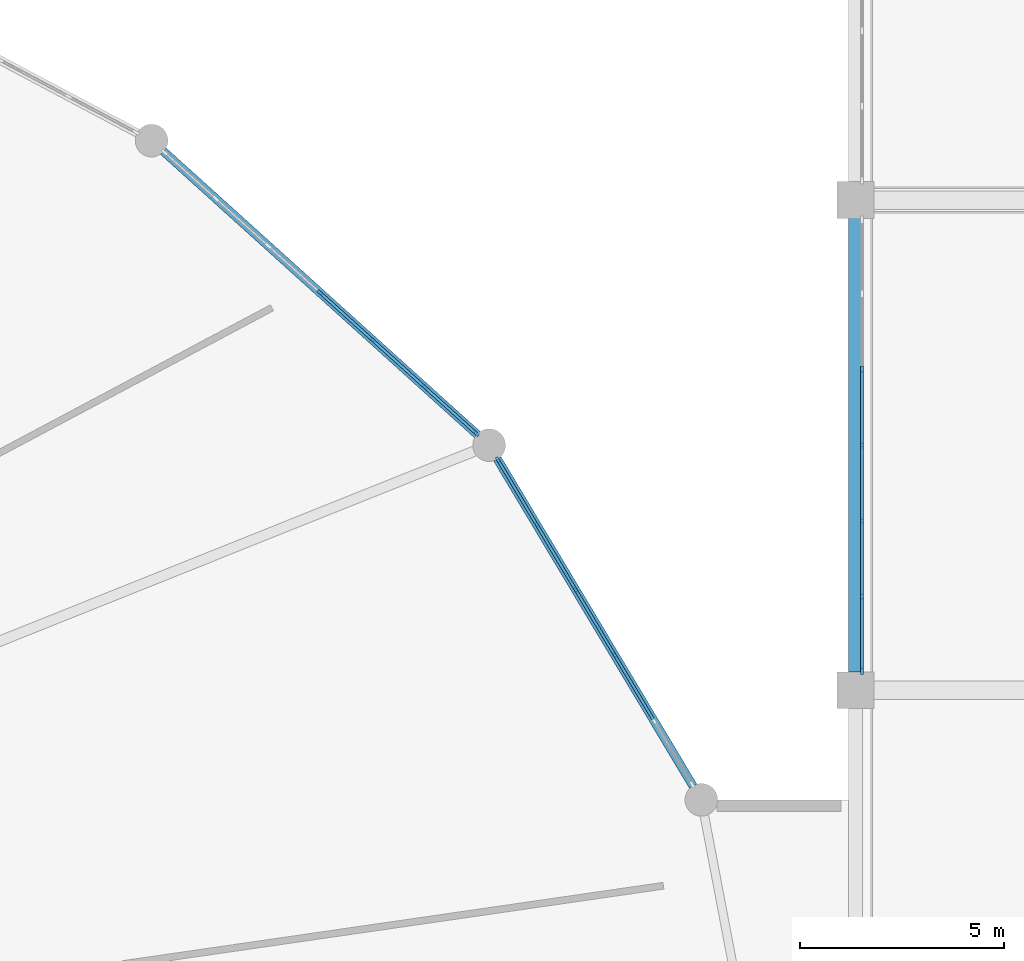
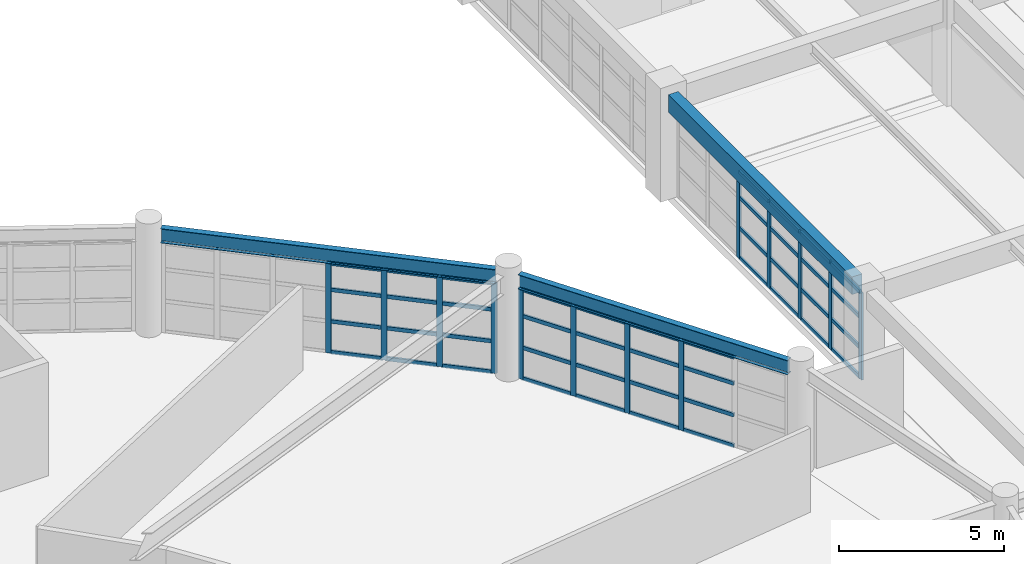
# One storey, part 47 of 100: 57 members, 3 beams, 3 elements without a shape of their own.
"""IFC4 building model written with IfcOpenShell, lengths in metres."""

from ifc_helpers import new_model, si_unit, direction, frame, origin, origin_2d, place, context, subcontext, project, spatial, rectangle, i_section, extrude, material, layer, layer_set, material_profile, profile_set, type_object, element, aggregate, save


model = new_model("IFC4")

# Units and contexts
model_context = context("Model", 3, precision=1e-05, world=origin(), true_north=direction((0.0, 1.0)))
body_context = subcontext(model_context, "Body", "Model", "MODEL_VIEW")
ifc_project = project(units=[si_unit("LENGTHUNIT", "METRE"), si_unit("AREAUNIT", "SQUARE_METRE"), si_unit("VOLUMEUNIT", "CUBIC_METRE"), si_unit("PLANEANGLEUNIT", "RADIAN"), si_unit("MASSUNIT", "GRAM", prefix="KILO")], contexts=[model_context])

# Site, building, storey
site_placement = place(None, origin())
site = spatial("IfcSite", under=ifc_project, at=site_placement, CompositionType="ELEMENT")
building_placement = place(site_placement, origin())
building = spatial("IfcBuilding", under=site, at=building_placement, Name="Kivolera Central Railway Station", CompositionType="ELEMENT")
storey_placement = place(building_placement, frame((0.0, 0.0, 5.39990234375)))
storey = spatial("IfcBuildingStorey", under=building, at=storey_placement, Name="L01", CompositionType="ELEMENT", Elevation=5.39990234375)

# Beams
ifc_material_1 = material(Name="Steel S355", Category="steel")
ifc_material_profile_1 = material_profile(ifc_material_1, i_section(OverallWidth=0.209228515625, OverallDepth=0.533203125, WebThickness=0.010009765625, FlangeThickness=0.015625, FilletRadius=0.0126953125, at=origin_2d()), Name="UB 533x210x92")
ifc_profile_set_1 = profile_set([ifc_material_profile_1], Name="Steel S355")
beam_type_1 = type_object("IfcBeamType", Name="BM-SHD-UB533", PredefinedType="BEAM", material=ifc_profile_set_1)
beam_1_placement = place(storey_placement, frame((114.028076171875, 99.652099609375, 3.611083984375), z_axis=(-0.513503459376, 0.858087523047, 0.0), x_axis=(-0.858087523047, -0.513503459376, 0.0)))
element("IfcBeam", 1, at=beam_1_placement, inside=storey, type_object=beam_type_1, Name="L01 Oval Perimeter Ring Beam 02", PredefinedType="BEAM", context=body_context, shape_type="SweptSolid", body=[
    extrude(i_section(OverallWidth=0.209228515625, OverallDepth=0.533203125, WebThickness=0.010009765625, FlangeThickness=0.015625, FilletRadius=0.0126953125, at=origin_2d()), origin(), (0.0, 0.0, 1.0), 9.338134765625),
])
beam_2_placement = place(storey_placement, frame((108.742919921875, 108.260986328125, 3.611083984375), z_axis=(-0.742356199881, 0.670005427215, 0.0), x_axis=(-0.670005427215, -0.742356199881, 0.0)))
element("IfcBeam", 2, at=beam_2_placement, inside=storey, type_object=beam_type_1, Name="L01 Oval Perimeter Ring Beam 03", PredefinedType="BEAM", context=body_context, shape_type="SweptSolid", body=[
    extrude(i_section(OverallWidth=0.209228515625, OverallDepth=0.533203125, WebThickness=0.010009765625, FlangeThickness=0.015625, FilletRadius=0.0126953125, at=origin_2d()), origin(), (0.0, 0.0, 1.0), 10.349365234375),
])
ifc_material_2 = material(Name="Concrete C40/50", Category="concrete")
ifc_material_profile_2 = material_profile(ifc_material_2, rectangle(XDim=0.35009765625, YDim=0.64990234375, at=origin_2d()), Name="RC 350x650")
ifc_profile_set_2 = profile_set([ifc_material_profile_2], Name="Concrete C40/50")
beam_type_2 = type_object("IfcBeamType", Name="BM-SPN-RC650", PredefinedType="SPANDREL", material=ifc_profile_set_2)
beam_3_placement = place(storey_placement, frame((118.0, 102.44189453125, 3.55517578125), z_axis=(0.0, 1.0, 0.0), x_axis=(-1.0, 0.0, 0.0)))
element("IfcBeam", 3, at=beam_3_placement, inside=storey, type_object=beam_type_2, Name="L01 Wing Y-Beam 12:J-K", PredefinedType="SPANDREL", context=body_context, shape_type="SweptSolid", body=[
    extrude(rectangle(XDim=0.35009765625, YDim=0.64990234375, at=origin_2d()), origin(), (0.0, 0.0, 1.0), 11.1162109375),
])

# Curtain wall, members
ifc_material_3 = material(Name="Anodised aluminium", Category="aluminium")
ifc_layer_1 = layer(ifc_material_3, 0.179931640625, Name="Anodised aluminium")
ifc_layer_set_1 = layer_set([ifc_layer_1], Name="Anodised aluminium")
curtain_wall_type_1 = type_object("IfcCurtainWallType", Name="CW-SYS-02", PredefinedType="NOTDEFINED", material=ifc_layer_set_1)
curtain_wall_1_placement = place(storey_placement, origin())
curtain_wall_1 = element("IfcCurtainWall", 4, at=curtain_wall_1_placement, inside=storey, type_object=curtain_wall_type_1, Name="L01 Curtain Wall CW-L01-OVL-01", PredefinedType="NOTDEFINED")
ifc_material_profile_3 = material_profile(ifc_material_3, rectangle(XDim=0.070068359375, YDim=0.179931640625, at=origin_2d()), Name="ALU MULL 70x180")
ifc_profile_set_3 = profile_set([ifc_material_profile_3], Name="Anodised aluminium")
member_type_1 = type_object("IfcMemberType", Name="CWM-MUL-1", PredefinedType="MULLION", material=ifc_profile_set_3)
member_1_placement = place(storey_placement, frame((109.255859375, 107.626953125, -0.0048828125), z_axis=(0.0, 0.0, 1.0), x_axis=(0.858117186396, 0.513453887327, 0.0)))
member_1 = element("IfcMember", 5, at=member_1_placement, type_object=member_type_1, Name="CW-02 mullion 1", PredefinedType="MULLION", context=body_context, shape_type="SweptSolid", body=[
    extrude(rectangle(XDim=0.070068359375, YDim=0.179931640625, at=origin_2d()), origin(), (0.0, 0.0, 1.0), 3.344970703125),
])
member_2_placement = place(storey_placement, frame((110.195068359375, 106.0576171875, -0.0048828125), z_axis=(0.0, 0.0, 1.0), x_axis=(0.858117186396, 0.513453887327, 0.0)))
member_2 = element("IfcMember", 6, at=member_2_placement, type_object=member_type_1, Name="CW-02 mullion 2", PredefinedType="MULLION", context=body_context, shape_type="SweptSolid", body=[
    extrude(rectangle(XDim=0.070068359375, YDim=0.179931640625, at=origin_2d()), origin(), (0.0, 0.0, 1.0), 3.344970703125),
])
member_3_placement = place(storey_placement, frame((111.152099609375, 104.458251953125, -0.0048828125), z_axis=(0.0, 0.0, 1.0), x_axis=(0.858117186396, 0.513453887327, 0.0)))
member_3 = element("IfcMember", 7, at=member_3_placement, type_object=member_type_1, Name="CW-02 mullion 3", PredefinedType="MULLION", context=body_context, shape_type="SweptSolid", body=[
    extrude(rectangle(XDim=0.070068359375, YDim=0.179931640625, at=origin_2d()), origin(), (0.0, 0.0, 1.0), 3.344970703125),
])
member_4_placement = place(storey_placement, frame((112.10888671875, 102.85888671875, -0.0048828125), z_axis=(0.0, 0.0, 1.0), x_axis=(0.858117186396, 0.513453887327, 0.0)))
member_4 = element("IfcMember", 8, at=member_4_placement, type_object=member_type_1, Name="CW-02 mullion 4", PredefinedType="MULLION", context=body_context, shape_type="SweptSolid", body=[
    extrude(rectangle(XDim=0.070068359375, YDim=0.179931640625, at=origin_2d()), origin(), (0.0, 0.0, 1.0), 3.344970703125),
])

ifc_layer_2 = layer(ifc_material_3, 0.179931640625, Name="Anodised aluminium")
ifc_layer_set_2 = layer_set([ifc_layer_2], Name="Anodised aluminium")
curtain_wall_type_2 = type_object("IfcCurtainWallType", Name="CW-SYS-05", PredefinedType="NOTDEFINED", material=ifc_layer_set_2)
curtain_wall_2_placement = place(storey_placement, origin())
curtain_wall_2 = element("IfcCurtainWall", 9, at=curtain_wall_2_placement, inside=storey, type_object=curtain_wall_type_2, Name="L01 Curtain Wall CW-L01-OVL-02", PredefinedType="NOTDEFINED")
member_5_placement = place(storey_placement, frame((104.901611328125, 111.72802734375, -0.0048828125), z_axis=(0.0, 0.0, 1.0), x_axis=(0.66992157428, 0.742431871833, 0.0)))
member_5 = element("IfcMember", 10, at=member_5_placement, type_object=member_type_1, Name="CW-05 mullion 4", PredefinedType="MULLION", context=body_context, shape_type="SweptSolid", body=[
    extrude(rectangle(XDim=0.070068359375, YDim=0.179931640625, at=origin_2d()), origin(), (0.0, 0.0, 1.0), 3.344970703125),
])
member_6_placement = place(storey_placement, frame((106.1796875, 110.57470703125, -0.0048828125), z_axis=(0.0, 0.0, 1.0), x_axis=(0.66992157428, 0.742431871833, 0.0)))
member_6 = element("IfcMember", 11, at=member_6_placement, type_object=member_type_1, Name="CW-05 mullion 5", PredefinedType="MULLION", context=body_context, shape_type="SweptSolid", body=[
    extrude(rectangle(XDim=0.070068359375, YDim=0.179931640625, at=origin_2d()), origin(), (0.0, 0.0, 1.0), 3.344970703125),
])
member_7_placement = place(storey_placement, frame((107.457763671875, 109.42138671875, -0.0048828125), z_axis=(0.0, 0.0, 1.0), x_axis=(0.66992157428, 0.742431871833, 0.0)))
member_7 = element("IfcMember", 12, at=member_7_placement, type_object=member_type_1, Name="CW-05 mullion 6", PredefinedType="MULLION", context=body_context, shape_type="SweptSolid", body=[
    extrude(rectangle(XDim=0.070068359375, YDim=0.179931640625, at=origin_2d()), origin(), (0.0, 0.0, 1.0), 3.344970703125),
])
member_8_placement = place(storey_placement, frame((108.7099609375, 108.29150390625, -0.0048828125), z_axis=(0.0, 0.0, 1.0), x_axis=(0.66992157428, 0.742431871833, 0.0)))
member_8 = element("IfcMember", 13, at=member_8_placement, type_object=member_type_1, Name="CW-05 mullion 7", PredefinedType="MULLION", context=body_context, shape_type="SweptSolid", body=[
    extrude(rectangle(XDim=0.070068359375, YDim=0.179931640625, at=origin_2d()), origin(), (0.0, 0.0, 1.0), 3.344970703125),
])

ifc_layer_3 = layer(ifc_material_3, 0.179931640625, Name="Anodised aluminium")
ifc_layer_set_3 = layer_set([ifc_layer_3], Name="Anodised aluminium")
curtain_wall_type_3 = type_object("IfcCurtainWallType", Name="CW-SYS-26", PredefinedType="NOTDEFINED", material=ifc_layer_set_3)
curtain_wall_3_placement = place(storey_placement, origin())
curtain_wall_3 = element("IfcCurtainWall", 14, at=curtain_wall_3_placement, inside=storey, type_object=curtain_wall_type_3, Name="L01 Curtain Wall CW-L01-WEST-J", PredefinedType="NOTDEFINED")
member_9_placement = place(storey_placement, frame((118.159912109375, 102.47998046875, -0.0048828125), z_axis=(0.0, 0.0, 1.0), x_axis=(-1.0, 0.0, 0.0)))
member_9 = element("IfcMember", 15, at=member_9_placement, type_object=member_type_1, Name="CW-26 mullion 1", PredefinedType="MULLION", context=body_context, shape_type="SweptSolid", body=[
    extrude(rectangle(XDim=0.070068359375, YDim=0.179931640625, at=origin_2d()), origin(), (0.0, 0.0, 1.0), 3.222900390625),
])
member_10_placement = place(storey_placement, frame((118.159912109375, 104.296630859375, -0.0048828125), z_axis=(0.0, 0.0, 1.0), x_axis=(-1.0, 0.0, 0.0)))
member_10 = element("IfcMember", 16, at=member_10_placement, type_object=member_type_1, Name="CW-26 mullion 2", PredefinedType="MULLION", context=body_context, shape_type="SweptSolid", body=[
    extrude(rectangle(XDim=0.070068359375, YDim=0.179931640625, at=origin_2d()), origin(), (0.0, 0.0, 1.0), 3.222900390625),
])
member_11_placement = place(storey_placement, frame((118.159912109375, 106.1484375, -0.0048828125), z_axis=(0.0, 0.0, 1.0), x_axis=(-1.0, 0.0, 0.0)))
member_11 = element("IfcMember", 17, at=member_11_placement, type_object=member_type_1, Name="CW-26 mullion 3", PredefinedType="MULLION", context=body_context, shape_type="SweptSolid", body=[
    extrude(rectangle(XDim=0.070068359375, YDim=0.179931640625, at=origin_2d()), origin(), (0.0, 0.0, 1.0), 3.222900390625),
])
member_12_placement = place(storey_placement, frame((118.159912109375, 108.0, -0.0048828125), z_axis=(0.0, 0.0, 1.0), x_axis=(-1.0, 0.0, 0.0)))
member_12 = element("IfcMember", 18, at=member_12_placement, type_object=member_type_1, Name="CW-26 mullion 4", PredefinedType="MULLION", context=body_context, shape_type="SweptSolid", body=[
    extrude(rectangle(XDim=0.070068359375, YDim=0.179931640625, at=origin_2d()), origin(), (0.0, 0.0, 1.0), 3.222900390625),
])
member_13_placement = place(storey_placement, frame((118.159912109375, 109.8515625, -0.0048828125), z_axis=(0.0, 0.0, 1.0), x_axis=(-1.0, 0.0, 0.0)))
member_13 = element("IfcMember", 19, at=member_13_placement, type_object=member_type_1, Name="CW-26 mullion 5", PredefinedType="MULLION", context=body_context, shape_type="SweptSolid", body=[
    extrude(rectangle(XDim=0.070068359375, YDim=0.179931640625, at=origin_2d()), origin(), (0.0, 0.0, 1.0), 3.222900390625),
])

# Member
ifc_material_profile_4 = material_profile(ifc_material_3, rectangle(XDim=0.070068359375, YDim=0.139892578125, at=origin_2d()), Name="ALU TRAN 70x140")
ifc_profile_set_4 = profile_set([ifc_material_profile_4], Name="Anodised aluminium")
member_type_2 = type_object("IfcMemberType", Name="CWM-TRN-1", PredefinedType="USERDEFINED", material=ifc_profile_set_4)
member_14_placement = place(storey_placement, frame((109.27392578125, 107.596923828125, 0.03515625), z_axis=(0.513454309114, -0.85811693402, 0.0), x_axis=(0.85811693402, 0.513454309114, 0.0)))
member_14 = element("IfcMember", 20, at=member_14_placement, type_object=member_type_2, Name="CW-02 transom 1.1", ObjectType="TRANSOM", PredefinedType="USERDEFINED", context=body_context, shape_type="SweptSolid", body=[
    extrude(rectangle(XDim=0.070068359375, YDim=0.139892578125, at=origin_2d()), origin(), (0.0, 0.0, 1.0), 1.7587890625),
])

member_15_placement = place(storey_placement, frame((109.27392578125, 107.596923828125, 1.169189453125), z_axis=(0.513454309114, -0.85811693402, 0.0), x_axis=(0.85811693402, 0.513454309114, 0.0)))
member_15 = element("IfcMember", 21, at=member_15_placement, type_object=member_type_2, Name="CW-02 transom 1.2", ObjectType="TRANSOM", PredefinedType="USERDEFINED", context=body_context, shape_type="SweptSolid", body=[
    extrude(rectangle(XDim=0.070068359375, YDim=0.139892578125, at=origin_2d()), origin(), (0.0, 0.0, 1.0), 1.7587890625),
])

member_16_placement = place(storey_placement, frame((109.27392578125, 107.596923828125, 2.338134765625), z_axis=(0.513454309114, -0.85811693402, 0.0), x_axis=(0.85811693402, 0.513454309114, 0.0)))
member_16 = element("IfcMember", 22, at=member_16_placement, type_object=member_type_2, Name="CW-02 transom 1.3", ObjectType="TRANSOM", PredefinedType="USERDEFINED", context=body_context, shape_type="SweptSolid", body=[
    extrude(rectangle(XDim=0.070068359375, YDim=0.139892578125, at=origin_2d()), origin(), (0.0, 0.0, 1.0), 1.7587890625),
])

member_17_placement = place(storey_placement, frame((109.27392578125, 107.596923828125, 3.30517578125), z_axis=(0.513454309114, -0.85811693402, 0.0), x_axis=(0.85811693402, 0.513454309114, 0.0)))
member_17 = element("IfcMember", 23, at=member_17_placement, type_object=member_type_2, Name="CW-02 transom 1.4", ObjectType="TRANSOM", PredefinedType="USERDEFINED", context=body_context, shape_type="SweptSolid", body=[
    extrude(rectangle(XDim=0.070068359375, YDim=0.139892578125, at=origin_2d()), origin(), (0.0, 0.0, 1.0), 1.7587890625),
])

member_18_placement = place(storey_placement, frame((110.212890625, 106.027587890625, 0.03515625), z_axis=(0.513494690452, -0.858092770554, 0.0), x_axis=(0.858092770554, 0.513494690452, 0.0)))
member_18 = element("IfcMember", 24, at=member_18_placement, type_object=member_type_2, Name="CW-02 transom 2.1", ObjectType="TRANSOM", PredefinedType="USERDEFINED", context=body_context, shape_type="SweptSolid", body=[
    extrude(rectangle(XDim=0.070068359375, YDim=0.139892578125, at=origin_2d()), origin(), (0.0, 0.0, 1.0), 1.7939453125),
])

member_19_placement = place(storey_placement, frame((110.212890625, 106.027587890625, 1.169189453125), z_axis=(0.513494690452, -0.858092770554, 0.0), x_axis=(0.858092770554, 0.513494690452, 0.0)))
member_19 = element("IfcMember", 25, at=member_19_placement, type_object=member_type_2, Name="CW-02 transom 2.2", ObjectType="TRANSOM", PredefinedType="USERDEFINED", context=body_context, shape_type="SweptSolid", body=[
    extrude(rectangle(XDim=0.070068359375, YDim=0.139892578125, at=origin_2d()), origin(), (0.0, 0.0, 1.0), 1.7939453125),
])

member_20_placement = place(storey_placement, frame((110.212890625, 106.027587890625, 2.338134765625), z_axis=(0.513494690452, -0.858092770554, 0.0), x_axis=(0.858092770554, 0.513494690452, 0.0)))
member_20 = element("IfcMember", 26, at=member_20_placement, type_object=member_type_2, Name="CW-02 transom 2.3", ObjectType="TRANSOM", PredefinedType="USERDEFINED", context=body_context, shape_type="SweptSolid", body=[
    extrude(rectangle(XDim=0.070068359375, YDim=0.139892578125, at=origin_2d()), origin(), (0.0, 0.0, 1.0), 1.7939453125),
])

member_21_placement = place(storey_placement, frame((110.212890625, 106.027587890625, 3.30517578125), z_axis=(0.513494690452, -0.858092770554, 0.0), x_axis=(0.858092770554, 0.513494690452, 0.0)))
member_21 = element("IfcMember", 27, at=member_21_placement, type_object=member_type_2, Name="CW-02 transom 2.4", ObjectType="TRANSOM", PredefinedType="USERDEFINED", context=body_context, shape_type="SweptSolid", body=[
    extrude(rectangle(XDim=0.070068359375, YDim=0.139892578125, at=origin_2d()), origin(), (0.0, 0.0, 1.0), 1.7939453125),
])

member_22_placement = place(storey_placement, frame((111.169921875, 104.42822265625, 0.03515625), z_axis=(0.513494690452, -0.858092770554, 0.0), x_axis=(0.858092770554, 0.513494690452, 0.0)))
member_22 = element("IfcMember", 28, at=member_22_placement, type_object=member_type_2, Name="CW-02 transom 3.1", ObjectType="TRANSOM", PredefinedType="USERDEFINED", context=body_context, shape_type="SweptSolid", body=[
    extrude(rectangle(XDim=0.070068359375, YDim=0.139892578125, at=origin_2d()), origin(), (0.0, 0.0, 1.0), 1.7939453125),
])

member_23_placement = place(storey_placement, frame((111.169921875, 104.42822265625, 1.169189453125), z_axis=(0.513494690452, -0.858092770554, 0.0), x_axis=(0.858092770554, 0.513494690452, 0.0)))
member_23 = element("IfcMember", 29, at=member_23_placement, type_object=member_type_2, Name="CW-02 transom 3.2", ObjectType="TRANSOM", PredefinedType="USERDEFINED", context=body_context, shape_type="SweptSolid", body=[
    extrude(rectangle(XDim=0.070068359375, YDim=0.139892578125, at=origin_2d()), origin(), (0.0, 0.0, 1.0), 1.7939453125),
])

member_24_placement = place(storey_placement, frame((111.169921875, 104.42822265625, 2.338134765625), z_axis=(0.513494690452, -0.858092770554, 0.0), x_axis=(0.858092770554, 0.513494690452, 0.0)))
member_24 = element("IfcMember", 30, at=member_24_placement, type_object=member_type_2, Name="CW-02 transom 3.3", ObjectType="TRANSOM", PredefinedType="USERDEFINED", context=body_context, shape_type="SweptSolid", body=[
    extrude(rectangle(XDim=0.070068359375, YDim=0.139892578125, at=origin_2d()), origin(), (0.0, 0.0, 1.0), 1.7939453125),
])

member_25_placement = place(storey_placement, frame((111.169921875, 104.42822265625, 3.30517578125), z_axis=(0.513494690452, -0.858092770554, 0.0), x_axis=(0.858092770554, 0.513494690452, 0.0)))
member_25 = element("IfcMember", 31, at=member_25_placement, type_object=member_type_2, Name="CW-02 transom 3.4", ObjectType="TRANSOM", PredefinedType="USERDEFINED", context=body_context, shape_type="SweptSolid", body=[
    extrude(rectangle(XDim=0.070068359375, YDim=0.139892578125, at=origin_2d()), origin(), (0.0, 0.0, 1.0), 1.7939453125),
])

member_26_placement = place(storey_placement, frame((112.126953125, 102.828857421875, 0.03515625), z_axis=(0.513494690452, -0.858092770554, 0.0), x_axis=(0.858092770554, 0.513494690452, 0.0)))
member_26 = element("IfcMember", 32, at=member_26_placement, type_object=member_type_2, Name="CW-02 transom 4.1", ObjectType="TRANSOM", PredefinedType="USERDEFINED", context=body_context, shape_type="SweptSolid", body=[
    extrude(rectangle(XDim=0.070068359375, YDim=0.139892578125, at=origin_2d()), origin(), (0.0, 0.0, 1.0), 1.7939453125),
])

member_27_placement = place(storey_placement, frame((112.126953125, 102.828857421875, 1.169189453125), z_axis=(0.513494690452, -0.858092770554, 0.0), x_axis=(0.858092770554, 0.513494690452, 0.0)))
member_27 = element("IfcMember", 33, at=member_27_placement, type_object=member_type_2, Name="CW-02 transom 4.2", ObjectType="TRANSOM", PredefinedType="USERDEFINED", context=body_context, shape_type="SweptSolid", body=[
    extrude(rectangle(XDim=0.070068359375, YDim=0.139892578125, at=origin_2d()), origin(), (0.0, 0.0, 1.0), 1.7939453125),
])

member_28_placement = place(storey_placement, frame((112.126953125, 102.828857421875, 2.338134765625), z_axis=(0.513494690452, -0.858092770554, 0.0), x_axis=(0.858092770554, 0.513494690452, 0.0)))
member_28 = element("IfcMember", 34, at=member_28_placement, type_object=member_type_2, Name="CW-02 transom 4.3", ObjectType="TRANSOM", PredefinedType="USERDEFINED", context=body_context, shape_type="SweptSolid", body=[
    extrude(rectangle(XDim=0.070068359375, YDim=0.139892578125, at=origin_2d()), origin(), (0.0, 0.0, 1.0), 1.7939453125),
])

member_29_placement = place(storey_placement, frame((112.126953125, 102.828857421875, 3.30517578125), z_axis=(0.513494690452, -0.858092770554, 0.0), x_axis=(0.858092770554, 0.513494690452, 0.0)))
member_29 = element("IfcMember", 35, at=member_29_placement, type_object=member_type_2, Name="CW-02 transom 4.4", ObjectType="TRANSOM", PredefinedType="USERDEFINED", context=body_context, shape_type="SweptSolid", body=[
    extrude(rectangle(XDim=0.070068359375, YDim=0.139892578125, at=origin_2d()), origin(), (0.0, 0.0, 1.0), 1.7939453125),
])

aggregate(curtain_wall_1, [member_1, member_2, member_3, member_4, member_14, member_15, member_16, member_17, member_18, member_19, member_20, member_21, member_22, member_23, member_24, member_25, member_26, member_27, member_28, member_29])

member_30_placement = place(storey_placement, frame((104.927490234375, 111.70458984375, 0.03515625), z_axis=(0.742396704206, -0.669960546289, 0.0), x_axis=(0.669960546289, 0.742396704206, 0.0)))
member_30 = element("IfcMember", 36, at=member_30_placement, type_object=member_type_2, Name="CW-05 transom 4.1", ObjectType="TRANSOM", PredefinedType="USERDEFINED", context=body_context, shape_type="SweptSolid", body=[
    extrude(rectangle(XDim=0.070068359375, YDim=0.139892578125, at=origin_2d()), origin(), (0.0, 0.0, 1.0), 1.651611328125),
])

member_31_placement = place(storey_placement, frame((104.927490234375, 111.70458984375, 1.169189453125), z_axis=(0.742396704206, -0.669960546289, 0.0), x_axis=(0.669960546289, 0.742396704206, 0.0)))
member_31 = element("IfcMember", 37, at=member_31_placement, type_object=member_type_2, Name="CW-05 transom 4.2", ObjectType="TRANSOM", PredefinedType="USERDEFINED", context=body_context, shape_type="SweptSolid", body=[
    extrude(rectangle(XDim=0.070068359375, YDim=0.139892578125, at=origin_2d()), origin(), (0.0, 0.0, 1.0), 1.651611328125),
])

member_32_placement = place(storey_placement, frame((104.927490234375, 111.70458984375, 2.338134765625), z_axis=(0.742396704206, -0.669960546289, 0.0), x_axis=(0.669960546289, 0.742396704206, 0.0)))
member_32 = element("IfcMember", 38, at=member_32_placement, type_object=member_type_2, Name="CW-05 transom 4.3", ObjectType="TRANSOM", PredefinedType="USERDEFINED", context=body_context, shape_type="SweptSolid", body=[
    extrude(rectangle(XDim=0.070068359375, YDim=0.139892578125, at=origin_2d()), origin(), (0.0, 0.0, 1.0), 1.651611328125),
])

member_33_placement = place(storey_placement, frame((104.927490234375, 111.70458984375, 3.30517578125), z_axis=(0.742396704206, -0.669960546289, 0.0), x_axis=(0.669960546289, 0.742396704206, 0.0)))
member_33 = element("IfcMember", 39, at=member_33_placement, type_object=member_type_2, Name="CW-05 transom 4.4", ObjectType="TRANSOM", PredefinedType="USERDEFINED", context=body_context, shape_type="SweptSolid", body=[
    extrude(rectangle(XDim=0.070068359375, YDim=0.139892578125, at=origin_2d()), origin(), (0.0, 0.0, 1.0), 1.651611328125),
])

member_34_placement = place(storey_placement, frame((106.20556640625, 110.55126953125, 0.03515625), z_axis=(0.74246304586, -0.669887024455, 0.0), x_axis=(0.669887024455, 0.74246304586, 0.0)))
member_34 = element("IfcMember", 40, at=member_34_placement, type_object=member_type_2, Name="CW-05 transom 5.1", ObjectType="TRANSOM", PredefinedType="USERDEFINED", context=body_context, shape_type="SweptSolid", body=[
    extrude(rectangle(XDim=0.070068359375, YDim=0.139892578125, at=origin_2d()), origin(), (0.0, 0.0, 1.0), 1.651611328125),
])

member_35_placement = place(storey_placement, frame((106.20556640625, 110.55126953125, 1.169189453125), z_axis=(0.74246304586, -0.669887024455, 0.0), x_axis=(0.669887024455, 0.74246304586, 0.0)))
member_35 = element("IfcMember", 41, at=member_35_placement, type_object=member_type_2, Name="CW-05 transom 5.2", ObjectType="TRANSOM", PredefinedType="USERDEFINED", context=body_context, shape_type="SweptSolid", body=[
    extrude(rectangle(XDim=0.070068359375, YDim=0.139892578125, at=origin_2d()), origin(), (0.0, 0.0, 1.0), 1.651611328125),
])

member_36_placement = place(storey_placement, frame((106.20556640625, 110.55126953125, 2.338134765625), z_axis=(0.74246304586, -0.669887024455, 0.0), x_axis=(0.669887024455, 0.74246304586, 0.0)))
member_36 = element("IfcMember", 42, at=member_36_placement, type_object=member_type_2, Name="CW-05 transom 5.3", ObjectType="TRANSOM", PredefinedType="USERDEFINED", context=body_context, shape_type="SweptSolid", body=[
    extrude(rectangle(XDim=0.070068359375, YDim=0.139892578125, at=origin_2d()), origin(), (0.0, 0.0, 1.0), 1.651611328125),
])

member_37_placement = place(storey_placement, frame((106.20556640625, 110.55126953125, 3.30517578125), z_axis=(0.74246304586, -0.669887024455, 0.0), x_axis=(0.669887024455, 0.74246304586, 0.0)))
member_37 = element("IfcMember", 43, at=member_37_placement, type_object=member_type_2, Name="CW-05 transom 5.4", ObjectType="TRANSOM", PredefinedType="USERDEFINED", context=body_context, shape_type="SweptSolid", body=[
    extrude(rectangle(XDim=0.070068359375, YDim=0.139892578125, at=origin_2d()), origin(), (0.0, 0.0, 1.0), 1.651611328125),
])

member_38_placement = place(storey_placement, frame((107.48388671875, 109.39794921875, 0.03515625), z_axis=(0.742422429893, -0.66993203804, 0.0), x_axis=(0.66993203804, 0.742422429893, 0.0)))
member_38 = element("IfcMember", 44, at=member_38_placement, type_object=member_type_2, Name="CW-05 transom 6.1", ObjectType="TRANSOM", PredefinedType="USERDEFINED", context=body_context, shape_type="SweptSolid", body=[
    extrude(rectangle(XDim=0.070068359375, YDim=0.139892578125, at=origin_2d()), origin(), (0.0, 0.0, 1.0), 1.61669921875),
])

member_39_placement = place(storey_placement, frame((107.48388671875, 109.39794921875, 1.169189453125), z_axis=(0.742422429893, -0.66993203804, 0.0), x_axis=(0.66993203804, 0.742422429893, 0.0)))
member_39 = element("IfcMember", 45, at=member_39_placement, type_object=member_type_2, Name="CW-05 transom 6.2", ObjectType="TRANSOM", PredefinedType="USERDEFINED", context=body_context, shape_type="SweptSolid", body=[
    extrude(rectangle(XDim=0.070068359375, YDim=0.139892578125, at=origin_2d()), origin(), (0.0, 0.0, 1.0), 1.61669921875),
])

member_40_placement = place(storey_placement, frame((107.48388671875, 109.39794921875, 2.338134765625), z_axis=(0.742422429893, -0.66993203804, 0.0), x_axis=(0.66993203804, 0.742422429893, 0.0)))
member_40 = element("IfcMember", 46, at=member_40_placement, type_object=member_type_2, Name="CW-05 transom 6.3", ObjectType="TRANSOM", PredefinedType="USERDEFINED", context=body_context, shape_type="SweptSolid", body=[
    extrude(rectangle(XDim=0.070068359375, YDim=0.139892578125, at=origin_2d()), origin(), (0.0, 0.0, 1.0), 1.61669921875),
])

member_41_placement = place(storey_placement, frame((107.48388671875, 109.39794921875, 3.30517578125), z_axis=(0.742422429893, -0.66993203804, 0.0), x_axis=(0.66993203804, 0.742422429893, 0.0)))
member_41 = element("IfcMember", 47, at=member_41_placement, type_object=member_type_2, Name="CW-05 transom 6.4", ObjectType="TRANSOM", PredefinedType="USERDEFINED", context=body_context, shape_type="SweptSolid", body=[
    extrude(rectangle(XDim=0.070068359375, YDim=0.139892578125, at=origin_2d()), origin(), (0.0, 0.0, 1.0), 1.61669921875),
])

aggregate(curtain_wall_2, [member_5, member_6, member_7, member_8, member_30, member_31, member_32, member_33, member_34, member_35, member_36, member_37, member_38, member_39, member_40, member_41])

member_42_placement = place(storey_placement, frame((118.159912109375, 102.514892578125, 0.03515625), z_axis=(0.0, 1.0, 0.0), x_axis=(-1.0, 0.0, 0.0)))
member_42 = element("IfcMember", 48, at=member_42_placement, type_object=member_type_2, Name="CW-26 transom 1.1", ObjectType="TRANSOM", PredefinedType="USERDEFINED", context=body_context, shape_type="SweptSolid", body=[
    extrude(rectangle(XDim=0.070068359375, YDim=0.139892578125, at=origin_2d()), origin(), (0.0, 0.0, 1.0), 1.746826171875),
])

member_43_placement = place(storey_placement, frame((118.159912109375, 102.514892578125, 1.12646484375), z_axis=(0.0, 1.0, 0.0), x_axis=(-1.0, 0.0, 0.0)))
member_43 = element("IfcMember", 49, at=member_43_placement, type_object=member_type_2, Name="CW-26 transom 1.2", ObjectType="TRANSOM", PredefinedType="USERDEFINED", context=body_context, shape_type="SweptSolid", body=[
    extrude(rectangle(XDim=0.070068359375, YDim=0.139892578125, at=origin_2d()), origin(), (0.0, 0.0, 1.0), 1.746826171875),
])

member_44_placement = place(storey_placement, frame((118.159912109375, 102.514892578125, 2.252685546875), z_axis=(0.0, 1.0, 0.0), x_axis=(-1.0, 0.0, 0.0)))
member_44 = element("IfcMember", 50, at=member_44_placement, type_object=member_type_2, Name="CW-26 transom 1.3", ObjectType="TRANSOM", PredefinedType="USERDEFINED", context=body_context, shape_type="SweptSolid", body=[
    extrude(rectangle(XDim=0.070068359375, YDim=0.139892578125, at=origin_2d()), origin(), (0.0, 0.0, 1.0), 1.746826171875),
])

member_45_placement = place(storey_placement, frame((118.159912109375, 102.514892578125, 3.18310546875), z_axis=(0.0, 1.0, 0.0), x_axis=(-1.0, 0.0, 0.0)))
member_45 = element("IfcMember", 51, at=member_45_placement, type_object=member_type_2, Name="CW-26 transom 1.4", ObjectType="TRANSOM", PredefinedType="USERDEFINED", context=body_context, shape_type="SweptSolid", body=[
    extrude(rectangle(XDim=0.070068359375, YDim=0.139892578125, at=origin_2d()), origin(), (0.0, 0.0, 1.0), 1.746826171875),
])

member_46_placement = place(storey_placement, frame((118.159912109375, 104.331787109375, 0.03515625), z_axis=(0.0, 1.0, 0.0), x_axis=(-1.0, 0.0, 0.0)))
member_46 = element("IfcMember", 52, at=member_46_placement, type_object=member_type_2, Name="CW-26 transom 2.1", ObjectType="TRANSOM", PredefinedType="USERDEFINED", context=body_context, shape_type="SweptSolid", body=[
    extrude(rectangle(XDim=0.070068359375, YDim=0.139892578125, at=origin_2d()), origin(), (0.0, 0.0, 1.0), 1.781494140625),
])

member_47_placement = place(storey_placement, frame((118.159912109375, 104.331787109375, 1.12646484375), z_axis=(0.0, 1.0, 0.0), x_axis=(-1.0, 0.0, 0.0)))
member_47 = element("IfcMember", 53, at=member_47_placement, type_object=member_type_2, Name="CW-26 transom 2.2", ObjectType="TRANSOM", PredefinedType="USERDEFINED", context=body_context, shape_type="SweptSolid", body=[
    extrude(rectangle(XDim=0.070068359375, YDim=0.139892578125, at=origin_2d()), origin(), (0.0, 0.0, 1.0), 1.781494140625),
])

member_48_placement = place(storey_placement, frame((118.159912109375, 104.331787109375, 2.252685546875), z_axis=(0.0, 1.0, 0.0), x_axis=(-1.0, 0.0, 0.0)))
member_48 = element("IfcMember", 54, at=member_48_placement, type_object=member_type_2, Name="CW-26 transom 2.3", ObjectType="TRANSOM", PredefinedType="USERDEFINED", context=body_context, shape_type="SweptSolid", body=[
    extrude(rectangle(XDim=0.070068359375, YDim=0.139892578125, at=origin_2d()), origin(), (0.0, 0.0, 1.0), 1.781494140625),
])

member_49_placement = place(storey_placement, frame((118.159912109375, 104.331787109375, 3.18310546875), z_axis=(0.0, 1.0, 0.0), x_axis=(-1.0, 0.0, 0.0)))
member_49 = element("IfcMember", 55, at=member_49_placement, type_object=member_type_2, Name="CW-26 transom 2.4", ObjectType="TRANSOM", PredefinedType="USERDEFINED", context=body_context, shape_type="SweptSolid", body=[
    extrude(rectangle(XDim=0.070068359375, YDim=0.139892578125, at=origin_2d()), origin(), (0.0, 0.0, 1.0), 1.781494140625),
])

member_50_placement = place(storey_placement, frame((118.159912109375, 106.183349609375, 0.03515625), z_axis=(0.0, 1.0, 0.0), x_axis=(-1.0, 0.0, 0.0)))
member_50 = element("IfcMember", 56, at=member_50_placement, type_object=member_type_2, Name="CW-26 transom 3.1", ObjectType="TRANSOM", PredefinedType="USERDEFINED", context=body_context, shape_type="SweptSolid", body=[
    extrude(rectangle(XDim=0.070068359375, YDim=0.139892578125, at=origin_2d()), origin(), (0.0, 0.0, 1.0), 1.78173828125),
])

member_51_placement = place(storey_placement, frame((118.159912109375, 106.183349609375, 1.12646484375), z_axis=(0.0, 1.0, 0.0), x_axis=(-1.0, 0.0, 0.0)))
member_51 = element("IfcMember", 57, at=member_51_placement, type_object=member_type_2, Name="CW-26 transom 3.2", ObjectType="TRANSOM", PredefinedType="USERDEFINED", context=body_context, shape_type="SweptSolid", body=[
    extrude(rectangle(XDim=0.070068359375, YDim=0.139892578125, at=origin_2d()), origin(), (0.0, 0.0, 1.0), 1.78173828125),
])

member_52_placement = place(storey_placement, frame((118.159912109375, 106.183349609375, 2.252685546875), z_axis=(0.0, 1.0, 0.0), x_axis=(-1.0, 0.0, 0.0)))
member_52 = element("IfcMember", 58, at=member_52_placement, type_object=member_type_2, Name="CW-26 transom 3.3", ObjectType="TRANSOM", PredefinedType="USERDEFINED", context=body_context, shape_type="SweptSolid", body=[
    extrude(rectangle(XDim=0.070068359375, YDim=0.139892578125, at=origin_2d()), origin(), (0.0, 0.0, 1.0), 1.78173828125),
])

member_53_placement = place(storey_placement, frame((118.159912109375, 106.183349609375, 3.18310546875), z_axis=(0.0, 1.0, 0.0), x_axis=(-1.0, 0.0, 0.0)))
member_53 = element("IfcMember", 59, at=member_53_placement, type_object=member_type_2, Name="CW-26 transom 3.4", ObjectType="TRANSOM", PredefinedType="USERDEFINED", context=body_context, shape_type="SweptSolid", body=[
    extrude(rectangle(XDim=0.070068359375, YDim=0.139892578125, at=origin_2d()), origin(), (0.0, 0.0, 1.0), 1.78173828125),
])

member_54_placement = place(storey_placement, frame((118.159912109375, 108.034912109375, 0.03515625), z_axis=(0.0, 1.0, 0.0), x_axis=(-1.0, 0.0, 0.0)))
member_54 = element("IfcMember", 60, at=member_54_placement, type_object=member_type_2, Name="CW-26 transom 4.1", ObjectType="TRANSOM", PredefinedType="USERDEFINED", context=body_context, shape_type="SweptSolid", body=[
    extrude(rectangle(XDim=0.070068359375, YDim=0.139892578125, at=origin_2d()), origin(), (0.0, 0.0, 1.0), 1.78173828125),
])

member_55_placement = place(storey_placement, frame((118.159912109375, 108.034912109375, 1.12646484375), z_axis=(0.0, 1.0, 0.0), x_axis=(-1.0, 0.0, 0.0)))
member_55 = element("IfcMember", 61, at=member_55_placement, type_object=member_type_2, Name="CW-26 transom 4.2", ObjectType="TRANSOM", PredefinedType="USERDEFINED", context=body_context, shape_type="SweptSolid", body=[
    extrude(rectangle(XDim=0.070068359375, YDim=0.139892578125, at=origin_2d()), origin(), (0.0, 0.0, 1.0), 1.78173828125),
])

member_56_placement = place(storey_placement, frame((118.159912109375, 108.034912109375, 2.252685546875), z_axis=(0.0, 1.0, 0.0), x_axis=(-1.0, 0.0, 0.0)))
member_56 = element("IfcMember", 62, at=member_56_placement, type_object=member_type_2, Name="CW-26 transom 4.3", ObjectType="TRANSOM", PredefinedType="USERDEFINED", context=body_context, shape_type="SweptSolid", body=[
    extrude(rectangle(XDim=0.070068359375, YDim=0.139892578125, at=origin_2d()), origin(), (0.0, 0.0, 1.0), 1.78173828125),
])

member_57_placement = place(storey_placement, frame((118.159912109375, 108.034912109375, 3.18310546875), z_axis=(0.0, 1.0, 0.0), x_axis=(-1.0, 0.0, 0.0)))
member_57 = element("IfcMember", 63, at=member_57_placement, type_object=member_type_2, Name="CW-26 transom 4.4", ObjectType="TRANSOM", PredefinedType="USERDEFINED", context=body_context, shape_type="SweptSolid", body=[
    extrude(rectangle(XDim=0.070068359375, YDim=0.139892578125, at=origin_2d()), origin(), (0.0, 0.0, 1.0), 1.78173828125),
])

aggregate(curtain_wall_3, [member_9, member_10, member_11, member_12, member_13, member_42, member_43, member_44, member_45, member_46, member_47, member_48, member_49, member_50, member_51, member_52, member_53, member_54, member_55, member_56, member_57])

save(model, "model.ifc")
